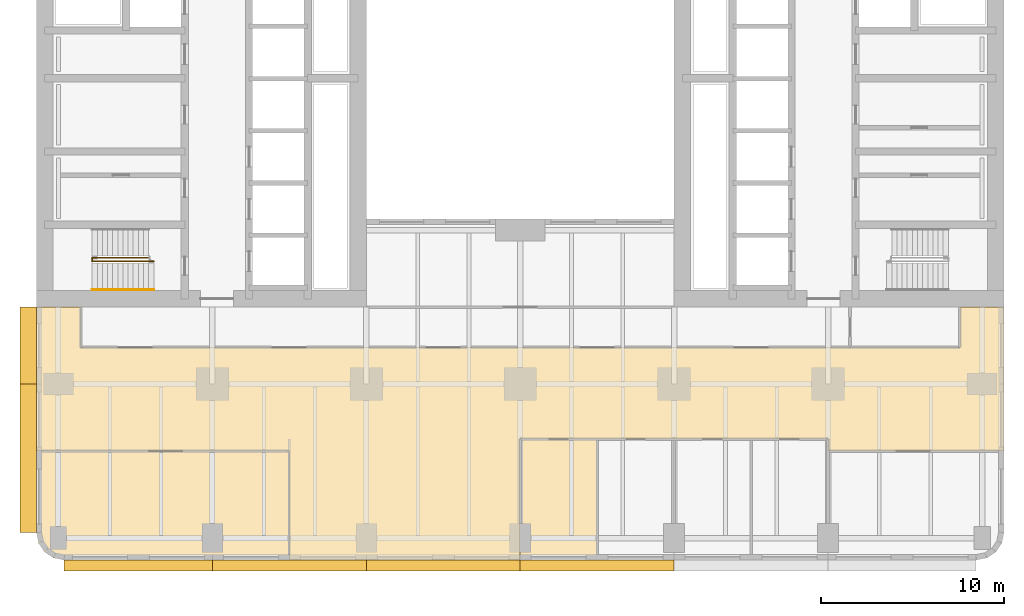
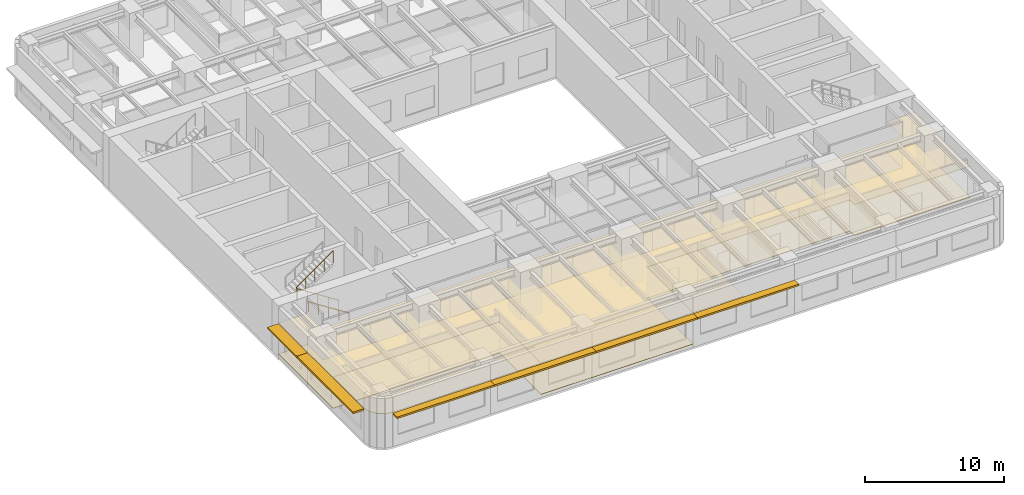
# One storey, part 9 of 14: 6 shading devices, 4 coverings, 2 railings.
"""IFC4 building model written with IfcOpenShell, lengths in metres."""

from ifc_helpers import new_model, si_unit, direction, frame, origin, origin_2d, place, context, subcontext, project, spatial, polyline, rectangle, circle, outline, extrude, material, layer, layer_set, type_object, element, save


model = new_model("IFC4")

# Units and contexts
model_context = context("Model", 3, precision=1e-05, world=origin(), true_north=direction((0.0, 1.0)))
body_context = subcontext(model_context, "Body", "Model", "MODEL_VIEW")
ifc_project = project(units=[si_unit("LENGTHUNIT", "METRE"), si_unit("AREAUNIT", "SQUARE_METRE"), si_unit("VOLUMEUNIT", "CUBIC_METRE"), si_unit("PLANEANGLEUNIT", "RADIAN"), si_unit("MASSUNIT", "GRAM", prefix="KILO")], contexts=[model_context])

# Site, building, storey
site_placement = place(None, origin())
site = spatial("IfcSite", under=ifc_project, at=site_placement, CompositionType="ELEMENT")
building_placement = place(site_placement, origin())
building = spatial("IfcBuilding", under=site, at=building_placement, Name="Claustro Exchange Tower", CompositionType="ELEMENT")
storey_placement = place(building_placement, frame((0.0, 0.0, 36.89990234375)))
storey = spatial("IfcBuildingStorey", under=building, at=storey_placement, Name="L08", CompositionType="ELEMENT", Elevation=36.89990234375)

# Coverings
ifc_material_1 = material(Name="Gypsum board ceiling", Category="gypsum board")
ifc_layer_1 = layer(ifc_material_1, 0.02490234375)
ifc_layer_set_1 = layer_set([ifc_layer_1], Name="Gypsum board ceiling")
covering_type_1 = type_object("IfcCoveringType", Name="CL2 plasterboard ceiling", PredefinedType="CEILING", material=ifc_layer_set_1)
covering_1_placement = place(storey_placement, frame((0.0, 0.0, 3.0)))
element("IfcCovering", 1, at=covering_1_placement, inside=storey, type_object=covering_type_1, Name="Ceiling CL2 L08-01", PredefinedType="CEILING", context=body_context, shape_type="SweptSolid", body=[
    extrude(outline(polyline([(-1.085693359375, -0.27392578125), (-0.7607421875, -0.7607421875), (-0.27392578125, -1.085693359375), (0.300048828125, -1.199951171875), (12.60009765625, -1.199951171875), (12.60009765625, 4.75), (-1.199951171875, 4.75), (-1.199951171875, 0.300048828125), (-1.085693359375, -0.27392578125)])), origin(), (0.0, 0.0, 1.0), 0.025146484375),
])
covering_2_placement = place(storey_placement, frame((0.0, 0.0, 3.0)))
element("IfcCovering", 2, at=covering_2_placement, inside=storey, type_object=covering_type_1, Name="Ceiling CL2 L08-03", PredefinedType="CEILING", context=body_context, shape_type="SweptSolid", body=[
    extrude(outline(polyline([(25.199951171875, -1.199951171875), (29.39990234375, -1.199951171875), (29.39990234375, 5.39990234375), (25.199951171875, 5.39990234375), (25.199951171875, -1.199951171875)])), origin(), (0.0, 0.0, 1.0), 0.025146484375),
])
covering_3_placement = place(storey_placement, frame((0.0, 0.0, 3.0)))
element("IfcCovering", 3, at=covering_3_placement, inside=storey, type_object=covering_type_1, Name="Ceiling CL2 L08-07", PredefinedType="CEILING", context=body_context, shape_type="SweptSolid", body=[
    extrude(outline(polyline([(-1.199951171875, 12.60009765625), (-1.199951171875, 4.75), (12.60009765625, 4.75), (12.60009765625, -1.199951171875), (25.199951171875, -1.199951171875), (25.199951171875, 5.39990234375), (29.39990234375, 5.39990234375), (33.60009765625, 5.39990234375), (37.800048828125, 5.39990234375), (42.0, 5.39990234375), (42.0, 4.75), (51.60009765625, 4.75), (51.60009765625, 12.60009765625), (49.199951171875, 12.60009765625), (49.199951171875, 10.39990234375), (43.199951171875, 10.39990234375), (1.199951171875, 10.39990234375), (1.199951171875, 12.60009765625), (-1.199951171875, 12.60009765625)])), origin(), (0.0, 0.0, 1.0), 0.025146484375),
])

# Railings
ifc_material_2 = material(Name="Steel balustrade, painted", Category="steel")
railing_type_1 = type_object("IfcRailingType", Name="GR2 1100 steel stair guard", PredefinedType="GUARDRAIL", material=ifc_material_2)
railing_1_placement = place(storey_placement, frame((5.199951171875, 15.10009765625, 0.18017578125)))
element("IfcRailing", 4, at=railing_1_placement, inside=storey, type_object=railing_type_1, Name="Stair well guard GR2 stair STWA L08", PredefinedType="GUARDRAIL", context=body_context, shape_type="SweptSolid", body=[
    extrude(circle(Radius=0.02392578125, at=origin_2d()), frame((0.0, 0.0, 1.076171875), z_axis=(-0.841178475377, 0.0, 0.540757591313), x_axis=(0.0, -1.0, 0.0)), (0.0, 0.0, 1.0), 3.994140625),
    extrude(circle(Radius=0.02392578125, at=origin_2d()), frame((-3.35986328125, 0.0, 3.23583984375), z_axis=(0.0, 1.0, 0.0), x_axis=(-1.0, 0.0, 0.0)), (0.0, 0.0, 1.0), 0.199951171875),
    extrude(circle(Radius=0.02392578125, at=origin_2d()), frame((-3.35986328125, 0.199951171875, 3.23583984375), z_axis=(0.818728512145, 0.0, 0.574180828137), x_axis=(0.0, 1.0, 0.0)), (0.0, 0.0, 1.0), 3.76171875),
    extrude(circle(Radius=0.02099609375, at=origin_2d()), origin(), (0.0, 0.0, 1.0), 1.052001953125),
    extrude(circle(Radius=0.02099609375, at=origin_2d()), frame((-0.83984375, 0.0, 0.5400390625)), (0.0, 0.0, 1.0), 1.052001953125),
    extrude(circle(Radius=0.02099609375, at=origin_2d()), frame((-1.679931640625, 0.0, 1.080078125)), (0.0, 0.0, 1.0), 1.052001953125),
    extrude(circle(Radius=0.02099609375, at=origin_2d()), frame((-2.52001953125, 0.0, 1.619873046875)), (0.0, 0.0, 1.0), 1.052001953125),
    extrude(circle(Radius=0.02099609375, at=origin_2d()), frame((-3.35986328125, 0.0, 2.159912109375)), (0.0, 0.0, 1.0), 1.052001953125),
    extrude(circle(Radius=0.02099609375, at=origin_2d()), frame((-3.35986328125, 0.199951171875, 2.159912109375)), (0.0, 0.0, 1.0), 1.052001953125),
    extrude(circle(Radius=0.02099609375, at=origin_2d()), frame((-2.58984375, 0.199951171875, 2.699951171875)), (0.0, 0.0, 1.0), 1.052001953125),
    extrude(circle(Radius=0.02099609375, at=origin_2d()), frame((-1.81982421875, 0.199951171875, 3.23974609375)), (0.0, 0.0, 1.0), 1.052001953125),
    extrude(circle(Radius=0.02099609375, at=origin_2d()), frame((-1.050048828125, 0.199951171875, 3.77978515625)), (0.0, 0.0, 1.0), 1.052001953125),
    extrude(circle(Radius=0.02099609375, at=origin_2d()), frame((-0.280029296875, 0.199951171875, 4.31982421875)), (0.0, 0.0, 1.0), 1.052001953125),
])
ifc_material_3 = material(Name="Stainless steel tube", Category="steel")
railing_type_2 = type_object("IfcRailingType", Name="HR1 900 stair handrail", PredefinedType="HANDRAIL", material=ifc_material_3)
railing_2_placement = place(storey_placement, frame((5.199951171875, 13.56005859375, 0.18017578125)))
element("IfcRailing", 5, at=railing_2_placement, inside=storey, type_object=railing_type_2, Name="Handrail HR1 stair STWA L08", PredefinedType="HANDRAIL", context=body_context, shape_type="SweptSolid", body=[
    extrude(circle(Radius=0.02392578125, at=origin_2d()), frame((0.0, 0.0, 0.8759765625), z_axis=(-0.841178475377, 0.0, 0.540757591313), x_axis=(0.0, -1.0, 0.0)), (0.0, 0.0, 1.0), 3.994140625),
    extrude(circle(Radius=0.02099609375, at=origin_2d()), origin(), (0.0, 0.0, 1.0), 0.851806640625),
    extrude(circle(Radius=0.02099609375, at=origin_2d()), frame((-0.83984375, 0.0, 0.5400390625)), (0.0, 0.0, 1.0), 0.851806640625),
    extrude(circle(Radius=0.02099609375, at=origin_2d()), frame((-1.679931640625, 0.0, 1.080078125)), (0.0, 0.0, 1.0), 0.851806640625),
    extrude(circle(Radius=0.02099609375, at=origin_2d()), frame((-2.52001953125, 0.0, 1.619873046875)), (0.0, 0.0, 1.0), 0.851806640625),
    extrude(circle(Radius=0.02099609375, at=origin_2d()), frame((-3.35986328125, 0.0, 2.159912109375)), (0.0, 0.0, 1.0), 0.851806640625),
])

# Covering
ifc_material_4 = material(Name="Steel-encased raised floor panels on pedestals", Category="steel")
ifc_layer_2 = layer(ifc_material_4, 0.0400390625)
ifc_layer_set_2 = layer_set([ifc_layer_2], Name="Steel-encased raised floor panels on pedestals")
covering_type_2 = type_object("IfcCoveringType", Name="RF1 300 raised access floor", PredefinedType="FLOORING", material=ifc_layer_set_2)
covering_4_placement = place(storey_placement, frame((0.0, 0.0, 0.260009765625)))
element("IfcCovering", 6, at=covering_4_placement, inside=storey, type_object=covering_type_2, Name="Raised access floor RF1 L08-07", PredefinedType="FLOORING", context=body_context, shape_type="SweptSolid", body=[
    extrude(outline(polyline([(-1.199951171875, 12.60009765625), (-1.199951171875, 4.75), (12.60009765625, 4.75), (12.60009765625, -1.199951171875), (25.199951171875, -1.199951171875), (25.199951171875, 5.39990234375), (29.39990234375, 5.39990234375), (33.60009765625, 5.39990234375), (37.800048828125, 5.39990234375), (42.0, 5.39990234375), (42.0, 4.75), (51.60009765625, 4.75), (51.60009765625, 12.60009765625), (49.199951171875, 12.60009765625), (49.199951171875, 10.39990234375), (43.199951171875, 10.39990234375), (1.199951171875, 10.39990234375), (1.199951171875, 12.60009765625), (-1.199951171875, 12.60009765625)])), origin(), (0.0, 0.0, 1.0), 0.0400390625),
])

# Shading devices
ifc_material_5 = material(Name="Concrete HA-40 (C40/50), precast, white cement, acid-etched", Category="concrete")
ifc_layer_3 = layer(ifc_material_5, 0.14990234375)
ifc_layer_set_3 = layer_set([ifc_layer_3], Name="Concrete HA-40 (C40/50), precast, white cement, acid-etched")
shading_device_type_1 = type_object("IfcShadingDeviceType", Name="SS1 600 precast concrete SUNSHADE", PredefinedType="SHUTTER", material=ifc_layer_set_3)
for number, where, z_axis, x_axis, name in (
    (7, (29.39990234375, -1.5, 2.800048828125), (0.0, 0.0, 1.0), (-1.0, 0.0, 0.0), "Precast SUNSHADE SS1 L08"),
    (8, (21.0, -1.5, 2.800048828125), (0.0, 0.0, 1.0), (-1.0, 0.0, 0.0), "Precast SUNSHADE SS1 L08"),
    (9, (12.60009765625, -1.5, 2.800048828125), (0.0, 0.0, 1.0), (-1.0, 0.0, 0.0), "Precast SUNSHADE SS1 L08"),
):
    element("IfcShadingDevice", number, at=place(storey_placement, frame(where, z_axis=z_axis, x_axis=x_axis)), inside=storey, type_object=shading_device_type_1, Name=name, PredefinedType="SHUTTER", context=body_context, shape_type="SweptSolid", body=[
        extrude(rectangle(XDim=8.39990234375, YDim=0.60009765625, at=origin_2d()), origin(), (0.0, 0.0, 1.0), 0.14990234375),
    ])
shading_device_1_placement = place(storey_placement, frame((4.357421875, -1.5, 2.800048828125), z_axis=(0.0, 0.0, 1.0), x_axis=(-1.0, 0.0, 0.0)))
element("IfcShadingDevice", 10, at=shading_device_1_placement, inside=storey, type_object=shading_device_type_1, Name="Precast SUNSHADE SS1 L08", PredefinedType="SHUTTER", context=body_context, shape_type="SweptSolid", body=[
    extrude(rectangle(XDim=8.085205078125, YDim=0.60009765625, at=origin_2d()), origin(), (0.0, 0.0, 1.0), 0.14990234375),
])
ifc_material_6 = material(Name="Concrete HA-40 (C40/50), precast, white cement, acid-etched", Category="concrete")
ifc_layer_4 = layer(ifc_material_6, 0.14990234375)
ifc_layer_set_4 = layer_set([ifc_layer_4], Name="Concrete HA-40 (C40/50), precast, white cement, acid-etched")
shading_device_type_2 = type_object("IfcShadingDeviceType", Name="SS2 900 precast concrete SUNSHADE", PredefinedType="SHUTTER", material=ifc_layer_set_4)
shading_device_2_placement = place(storey_placement, frame((-1.64990234375, 4.357421875, 2.800048828125), z_axis=(0.0, 0.0, 1.0), x_axis=(0.0, 1.0, 0.0)))
element("IfcShadingDevice", 11, at=shading_device_2_placement, inside=storey, type_object=shading_device_type_2, Name="Precast SUNSHADE SS2 L08", PredefinedType="SHUTTER", context=body_context, shape_type="SweptSolid", body=[
    extrude(rectangle(XDim=8.085205078125, YDim=0.89990234375, at=origin_2d()), origin(), (0.0, 0.0, 1.0), 0.14990234375),
])
shading_device_3_placement = place(storey_placement, frame((-1.64990234375, 10.5, 2.800048828125), z_axis=(0.0, 0.0, 1.0), x_axis=(0.0, 1.0, 0.0)))
element("IfcShadingDevice", 12, at=shading_device_3_placement, inside=storey, type_object=shading_device_type_2, Name="Precast SUNSHADE SS2 L08", PredefinedType="SHUTTER", context=body_context, shape_type="SweptSolid", body=[
    extrude(rectangle(XDim=4.199951171875, YDim=0.89990234375, at=origin_2d()), origin(), (0.0, 0.0, 1.0), 0.14990234375),
])

save(model, "model.ifc")
